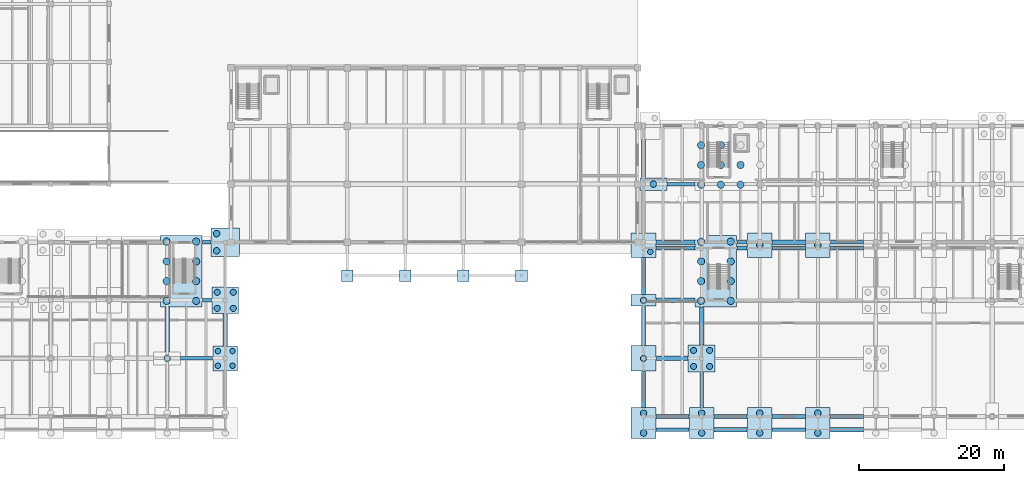
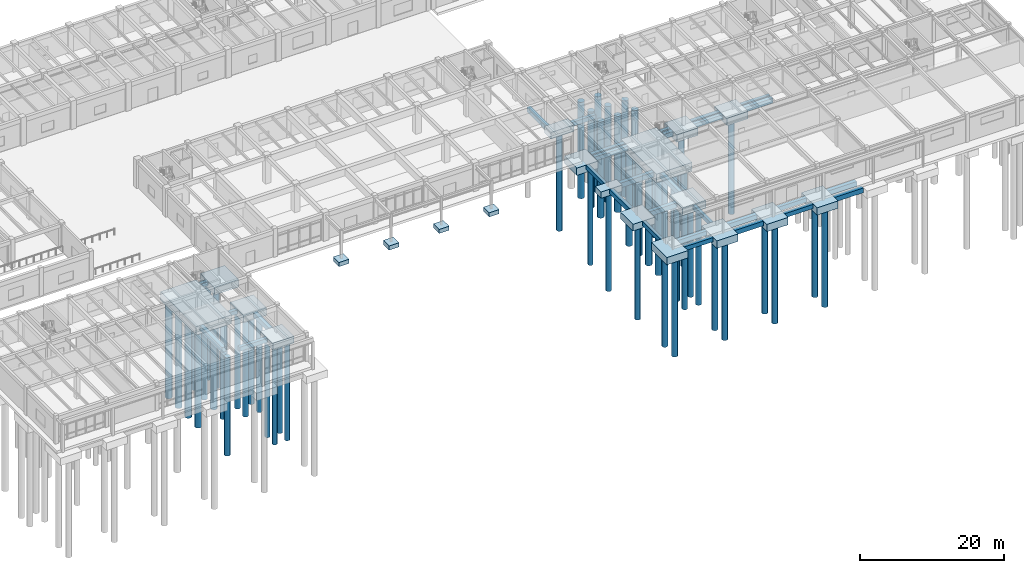
# One storey, part 2 of 64: 53 piles, 50 footings.
"""IFC4 building model written with IfcOpenShell, lengths in metres."""

import ifcopenshell
import ifcopenshell.guid

model = None  # the IFC model being written
_history = None  # IfcOwnerHistory: only IFC2X3 demands one
_inside = {}  # id of a spatial element -> (the spatial element, [elements in it])
_under = {}  # id of a project, library or spatial element -> (it, [spatial elements below it])
_declared = {}  # id of a project -> (the project, [libraries it declares])
_typed = {}  # id of a type object -> (the type object, [elements of that type])
_made_of = {}  # id of a material, layer set ... -> (it, [elements and type objects made of it])


def new_model(schema):
    """Start an empty IFC model of exactly this schema.

    Asked for "IFC4X3", IfcOpenShell would pick the latest addendum, in which some entities
    have other attributes; the version numbers below select the first issue.
    IFC2X3 requires an IfcOwnerHistory on every rooted entity: one is made here for all.
    """
    global model, _history
    if schema == "IFC4X3":
        model = ifcopenshell.file(schema_version=(4, 3, 0, 0))
    else:
        model = ifcopenshell.file(schema=schema)
    _inside.clear()
    _under.clear()
    _declared.clear()
    _typed.clear()
    _made_of.clear()
    _history = None
    if model.schema == "IFC2X3":
        org = make("IfcOrganization", Name="unknown")
        user = make(
            "IfcPersonAndOrganization",
            ThePerson=make("IfcPerson", FamilyName="unknown"),
            TheOrganization=org,
        )
        app = make(
            "IfcApplication",
            ApplicationDeveloper=org,
            Version="unknown",
            ApplicationFullName="unknown",
            ApplicationIdentifier="unknown",
        )
        _history = make(
            "IfcOwnerHistory",
            OwningUser=user,
            OwningApplication=app,
            ChangeAction="ADDED",
            CreationDate=0,
        )
    return model


def make(cls, **values):
    """One entity of the class cls with the attributes given. An attribute that is None is left unset."""
    return model.create_entity(
        cls, **{name: value for name, value in values.items() if value is not None}
    )


def rooted(cls, **values):
    """An entity with a GlobalId (a new one), such as an element, a storey or a relation."""
    return make(cls, GlobalId=ifcopenshell.guid.new(), OwnerHistory=_history, **values)


def si_unit(unit_type, name, prefix=None):
    """IfcSIUnit, for example si_unit("LENGTHUNIT", "METRE", prefix="MILLI")."""
    return make("IfcSIUnit", UnitType=unit_type, Prefix=prefix, Name=name)


def assignment(units):
    """IfcUnitAssignment: the units of a project."""
    return None if units is None else make("IfcUnitAssignment", Units=units)


def point(xyz):
    """IfcCartesianPoint."""
    return None if xyz is None else make("IfcCartesianPoint", Coordinates=xyz)


def direction(xyz):
    """IfcDirection."""
    return None if xyz is None else make("IfcDirection", DirectionRatios=xyz)


def frame(location, z_axis=None, x_axis=None):
    """IfcAxis2Placement3D, a coordinate frame: its origin and axes. An axis left out is left unset."""
    return make(
        "IfcAxis2Placement3D",
        Location=point(location),
        Axis=direction(z_axis),
        RefDirection=direction(x_axis),
    )


def frame_2d(location, x_axis=None):
    """IfcAxis2Placement2D, a coordinate frame in the plane: its origin and x axis."""
    return make(
        "IfcAxis2Placement2D", Location=point(location), RefDirection=direction(x_axis)
    )


def origin():
    """The frame at (0, 0, 0) with its axes left unset."""
    return frame((0.0, 0.0, 0.0))


def origin_2d():
    """The frame at (0, 0) in the plane with its x axis left unset."""
    return frame_2d((0.0, 0.0))


def place(relative_to, where):
    """IfcLocalPlacement: puts the frame where relative to a parent placement (None: the world)."""
    return make(
        "IfcLocalPlacement", PlacementRelTo=relative_to, RelativePlacement=where
    )


def context(
    kind, dimensions, precision=None, world=None, true_north=None, identifier=None
):
    """IfcGeometricRepresentationContext, for example the 3D "Model" context."""
    return make(
        "IfcGeometricRepresentationContext",
        ContextIdentifier=identifier,
        ContextType=kind,
        CoordinateSpaceDimension=dimensions,
        Precision=precision,
        WorldCoordinateSystem=world,
        TrueNorth=true_north,
    )


def subcontext(parent, identifier, kind, view, scale=None):
    """IfcGeometricRepresentationSubContext, for example "Body" below "Model"."""
    return make(
        "IfcGeometricRepresentationSubContext",
        ContextIdentifier=identifier,
        ContextType=kind,
        ParentContext=parent,
        TargetScale=scale,
        TargetView=view,
    )


def project(units=None, contexts=None):
    """IfcProject with its units and contexts."""
    return rooted(
        "IfcProject",
        Name="project",
        RepresentationContexts=contexts,
        UnitsInContext=assignment(units),
    )


def spatial(cls, under=None, at=None, **own):
    """A site, building, storey or space (cls), placed at a placement, below another one or the project."""
    s = rooted(cls, ObjectPlacement=at, **own)
    if under is not None:
        _under.setdefault(under.id(), (under, []))[1].append(s)
    return s


def profile(cls, at=None, kind="AREA", **sizes):
    """A parametric profile (cls). Its sizes go by their IFC names, for example OverallWidth=200.0."""
    return make(cls, ProfileType=kind, Position=at, **sizes)


def rectangle(**sizes):
    """IfcRectangleProfileDef."""
    return profile("IfcRectangleProfileDef", **sizes)


def circle(**sizes):
    """IfcCircleProfileDef."""
    return profile("IfcCircleProfileDef", **sizes)


def extrude(swept, where, along, depth):
    """IfcExtrudedAreaSolid: the profile swept, set in the frame where, extruded along a direction by depth."""
    return make(
        "IfcExtrudedAreaSolid",
        SweptArea=swept,
        Position=where,
        ExtrudedDirection=direction(along),
        Depth=depth,
    )


def shape(context_of_items, identifier, shape_type, items):
    """IfcShapeRepresentation: the items that make up one representation, for example the "Body"."""
    return make(
        "IfcShapeRepresentation",
        ContextOfItems=context_of_items,
        RepresentationIdentifier=identifier,
        RepresentationType=shape_type,
        Items=items,
    )


def material(Name=None, Category=None):
    """IfcMaterial."""
    return make("IfcMaterial", Name=Name, Category=Category)


def layer(
    of_material, thickness, ventilated=None, Name=None, Category=None, Priority=None
):
    """IfcMaterialLayer: one layer of a wall or slab, of a material (None: an air gap)."""
    return make(
        "IfcMaterialLayer",
        Material=of_material,
        LayerThickness=thickness,
        IsVentilated=ventilated,
        Name=Name,
        Category=Category,
        Priority=Priority,
    )


def layer_set(layers, Name=None):
    """IfcMaterialLayerSet."""
    return make("IfcMaterialLayerSet", MaterialLayers=layers, LayerSetName=Name)


def material_profile(
    of_material, cross_section, Name=None, Category=None, Priority=None
):
    """IfcMaterialProfile: a cross section and its material."""
    return make(
        "IfcMaterialProfile",
        Name=Name,
        Material=of_material,
        Profile=cross_section,
        Priority=Priority,
        Category=Category,
    )


def profile_set(profiles, Name=None, composite=None):
    """IfcMaterialProfileSet."""
    return make(
        "IfcMaterialProfileSet",
        Name=Name,
        MaterialProfiles=profiles,
        CompositeProfile=composite,
    )


def made_of(thing, what):
    """Note that an element or type object is made of a material, layer set ...; save() writes the relation."""
    if what is not None:
        _made_of.setdefault(what.id(), (what, []))[1].append(thing)
    return thing


def type_object(cls, material=None, **own):
    """A type object (cls), such as IfcWallType, which elements share."""
    return made_of(rooted(cls, **own), material)


def element(
    cls,
    number,
    at=None,
    inside=None,
    cuts=None,
    type_object=None,
    material=None,
    context=None,
    identifier="Body",
    shape_type=None,
    held_by="IfcProductDefinitionShape",
    body=None,
    shapes=None,
    **own,
):
    """One element of the class cls, such as IfcWall. Its Tag is "e" and its number.

    at: its placement. inside: the storey or other place that contains it. cuts: it is an
    opening in that element (IfcRelVoidsElement). A single representation is given by context,
    identifier, shape_type and body (its items); several are given by shapes. held_by: the class
    of the entity that holds the representations. save() writes the other relations.
    """
    e = rooted(cls, Tag="e%d" % number, ObjectPlacement=at, **own)
    if body is not None:
        shapes = [shape(context, identifier, shape_type, body)]
    if shapes is not None:
        e.Representation = make(held_by, Representations=shapes)
    if inside is not None:
        _inside.setdefault(inside.id(), (inside, []))[1].append(e)
    if cuts is not None:
        rooted(
            "IfcRelVoidsElement", RelatingBuildingElement=cuts, RelatedOpeningElement=e
        )
    if type_object is not None:
        _typed.setdefault(type_object.id(), (type_object, []))[1].append(e)
    return made_of(e, material)


def aggregate(whole, parts):
    """IfcRelAggregates: a whole, such as a stair, and the parts it consists of."""
    return rooted("IfcRelAggregates", RelatingObject=whole, RelatedObjects=parts)


def save(model, path):
    """Write the relations noted so far, then the file.

    IfcRelAggregates (storeys below a building ...), IfcRelContainedInSpatialStructure (elements
    in a storey), IfcRelDefinesByType, IfcRelAssociatesMaterial and IfcRelDeclares: one each for
    every whole, place, type object, material and project.
    """
    for whole, parts in _under.values():
        aggregate(whole, parts)
    for where, things in _inside.values():
        rooted(
            "IfcRelContainedInSpatialStructure",
            RelatedElements=things,
            RelatingStructure=where,
        )
    for kind, things in _typed.values():
        rooted("IfcRelDefinesByType", RelatedObjects=things, RelatingType=kind)
    for what, things in _made_of.values():
        rooted("IfcRelAssociatesMaterial", RelatedObjects=things, RelatingMaterial=what)
    for by, libraries in _declared.values():
        rooted("IfcRelDeclares", RelatingContext=by, RelatedDefinitions=libraries)
    model.write(path)


model = new_model("IFC4")

# Units and contexts
model_context = context("Model", 3, precision=1e-05, world=origin(), true_north=direction((0.0, 1.0)))
body_context = subcontext(model_context, "Body", "Model", "MODEL_VIEW")
ifc_project = project(units=[si_unit("LENGTHUNIT", "METRE"), si_unit("AREAUNIT", "SQUARE_METRE"), si_unit("VOLUMEUNIT", "CUBIC_METRE"), si_unit("PLANEANGLEUNIT", "RADIAN"), si_unit("MASSUNIT", "GRAM", prefix="KILO")], contexts=[model_context])

# Site, building, storey
site_placement = place(None, origin())
site = spatial("IfcSite", under=ifc_project, at=site_placement, CompositionType="ELEMENT")
building_placement = place(site_placement, origin())
building = spatial("IfcBuilding", under=site, at=building_placement, Name="Tlaxcora Railside Police Headquarters", CompositionType="ELEMENT")
storey_placement = place(building_placement, origin())
storey = spatial("IfcBuildingStorey", under=building, at=storey_placement, Name="L00", CompositionType="ELEMENT", Elevation=0.0)

# Piles
ifc_material_1 = material(Name="Concrete C35/45", Category="concrete")
ifc_material_profile_1 = material_profile(ifc_material_1, circle(Radius=0.425048828125, at=origin_2d()), Name="PILE850")
ifc_profile_set_1 = profile_set([ifc_material_profile_1], Name="Concrete C35/45")
pile_type_1 = type_object("IfcPileType", Name="Cast-in-Place Bored Pile PL-12", PredefinedType="BORED", material=ifc_profile_set_1)
for number, where, z_axis, x_axis, name in (
    (1, (44.094970703125, 26.89501953125, -1.52001953125), (0.0, 0.0, -1.0), (1.0, 0.0, 0.0), "Bored pile PILE-127-1"),
    (2, (44.094970703125, 29.10498046875, -1.52001953125), (0.0, 0.0, -1.0), (1.0, 0.0, 0.0), "Bored pile PILE-127-2"),
    (3, (46.304931640625, 26.89501953125, -1.52001953125), (0.0, 0.0, -1.0), (1.0, 0.0, 0.0), "Bored pile PILE-127-3"),
    (4, (46.304931640625, 29.10498046875, -1.52001953125), (0.0, 0.0, -1.0), (1.0, 0.0, 0.0), "Bored pile PILE-127-4"),
):
    element("IfcPile", number, at=place(storey_placement, frame(where, z_axis=z_axis, x_axis=x_axis)), inside=storey, type_object=pile_type_1, Name=name, PredefinedType="BORED", context=body_context, shape_type="SweptSolid", body=[
        extrude(circle(Radius=0.425048828125, at=origin_2d()), origin(), (0.0, 0.0, 1.0), 16.47998046875),
    ])
pile_1_placement = place(storey_placement, frame((102.800048828125, 20.0, -1.419921875), z_axis=(0.0, 0.0, -1.0), x_axis=(1.0, 0.0, 0.0)))
element("IfcPile", 5, at=pile_1_placement, inside=storey, type_object=pile_type_1, Name="Bored pile PILE-130-1", PredefinedType="BORED", context=body_context, shape_type="SweptSolid", body=[
    extrude(circle(Radius=0.425048828125, at=origin_2d()), origin(), (0.0, 0.0, 1.0), 16.580078125),
])
pile_2_placement = place(storey_placement, frame((102.800048828125, 28.0, -1.320068359375), z_axis=(0.0, 0.0, -1.0), x_axis=(1.0, 0.0, 0.0)))
element("IfcPile", 6, at=pile_2_placement, inside=storey, type_object=pile_type_1, Name="Bored pile PILE-131-1", PredefinedType="BORED", context=body_context, shape_type="SweptSolid", body=[
    extrude(circle(Radius=0.425048828125, at=origin_2d()), origin(), (0.0, 0.0, 1.0), 16.679931640625),
])
for number, where, z_axis, x_axis, name in (
    (7, (109.695068359375, 18.89501953125, -1.52001953125), (0.0, 0.0, -1.0), (1.0, 0.0, 0.0), "Bored pile PILE-136-1"),
    (8, (109.695068359375, 21.10498046875, -1.52001953125), (0.0, 0.0, -1.0), (1.0, 0.0, 0.0), "Bored pile PILE-136-2"),
    (9, (111.905029296875, 18.89501953125, -1.52001953125), (0.0, 0.0, -1.0), (1.0, 0.0, 0.0), "Bored pile PILE-136-3"),
    (10, (111.905029296875, 21.10498046875, -1.52001953125), (0.0, 0.0, -1.0), (1.0, 0.0, 0.0), "Bored pile PILE-136-4"),
):
    element("IfcPile", number, at=place(storey_placement, frame(where, z_axis=z_axis, x_axis=x_axis)), inside=storey, type_object=pile_type_1, Name=name, PredefinedType="BORED", context=body_context, shape_type="SweptSolid", body=[
        extrude(circle(Radius=0.425048828125, at=origin_2d()), origin(), (0.0, 0.0, 1.0), 16.47998046875),
    ])
ifc_material_profile_2 = material_profile(ifc_material_1, circle(Radius=0.449951171875, at=origin_2d()), Name="PILE900")
ifc_profile_set_2 = profile_set([ifc_material_profile_2], Name="Concrete C35/45")
pile_type_2 = type_object("IfcPileType", Name="Cast-in-Place Bored Pile PL-52", PredefinedType="BORED", material=ifc_profile_set_2)
pile_3_placement = place(storey_placement, frame((37.199951171875, 20.0, -1.3701171875), z_axis=(0.0, 0.0, -1.0), x_axis=(1.0, 0.0, 0.0)))
element("IfcPile", 11, at=pile_3_placement, inside=storey, type_object=pile_type_2, Name="Bored pile PILE-124-1", PredefinedType="BORED", context=body_context, shape_type="SweptSolid", body=[
    extrude(circle(Radius=0.449951171875, at=origin_2d()), origin(), (0.0, 0.0, 1.0), 16.6298828125),
])
for number, where, z_axis, x_axis, name in (
    (12, (44.02001953125, 34.820068359375, -1.570068359375), (0.0, 0.0, -1.0), (1.0, 0.0, 0.0), "Bored pile PILE-128-1"),
    (13, (44.02001953125, 37.179931640625, -1.570068359375), (0.0, 0.0, -1.0), (1.0, 0.0, 0.0), "Bored pile PILE-128-2"),
):
    element("IfcPile", number, at=place(storey_placement, frame(where, z_axis=z_axis, x_axis=x_axis)), inside=storey, type_object=pile_type_2, Name=name, PredefinedType="BORED", context=body_context, shape_type="SweptSolid", body=[
        extrude(circle(Radius=0.449951171875, at=origin_2d()), origin(), (0.0, 0.0, 1.0), 16.429931640625),
    ])
for number, where, z_axis, x_axis, name in (
    (14, (102.800048828125, 9.72998046875, -1.52001953125), (0.0, 0.0, -1.0), (1.0, 0.0, 0.0), "Bored pile PILE-129-1"),
    (15, (102.800048828125, 12.469970703125, -1.52001953125), (0.0, 0.0, -1.0), (1.0, 0.0, 0.0), "Bored pile PILE-129-2"),
):
    element("IfcPile", number, at=place(storey_placement, frame(where, z_axis=z_axis, x_axis=x_axis)), inside=storey, type_object=pile_type_2, Name=name, PredefinedType="BORED", context=body_context, shape_type="SweptSolid", body=[
        extrude(circle(Radius=0.449951171875, at=origin_2d()), origin(), (0.0, 0.0, 1.0), 16.47998046875),
    ])
pile_4_placement = place(storey_placement, frame((104.14990234375, 44.0, -1.3701171875), z_axis=(0.0, 0.0, -1.0), x_axis=(1.0, 0.0, 0.0)))
element("IfcPile", 16, at=pile_4_placement, inside=storey, type_object=pile_type_2, Name="Bored pile PILE-133-1", PredefinedType="BORED", context=body_context, shape_type="SweptSolid", body=[
    extrude(circle(Radius=0.449951171875, at=origin_2d()), origin(), (0.0, 0.0, 1.0), 16.6298828125),
])
for number, where, z_axis, x_axis, name in (
    (17, (110.800048828125, 9.72998046875, -1.52001953125), (0.0, 0.0, -1.0), (1.0, 0.0, 0.0), "Bored pile PILE-135-1"),
    (18, (110.800048828125, 12.469970703125, -1.52001953125), (0.0, 0.0, -1.0), (1.0, 0.0, 0.0), "Bored pile PILE-135-2"),
    (19, (118.800048828125, 9.72998046875, -1.52001953125), (0.0, 0.0, -1.0), (1.0, 0.0, 0.0), "Bored pile PILE-137-1"),
    (20, (118.800048828125, 12.469970703125, -1.52001953125), (0.0, 0.0, -1.0), (1.0, 0.0, 0.0), "Bored pile PILE-137-2"),
    (21, (118.800048828125, 35.60009765625, -1.52001953125), (0.0, 0.0, -1.0), (1.0, 0.0, 0.0), "Bored pile PILE-138-1"),
    (22, (126.800048828125, 9.72998046875, -1.52001953125), (0.0, 0.0, -1.0), (1.0, 0.0, 0.0), "Bored pile PILE-139-1"),
    (23, (126.800048828125, 12.469970703125, -1.52001953125), (0.0, 0.0, -1.0), (1.0, 0.0, 0.0), "Bored pile PILE-139-2"),
    (24, (126.800048828125, 35.60009765625, -1.52001953125), (0.0, 0.0, -1.0), (1.0, 0.0, 0.0), "Bored pile PILE-140-1"),
):
    element("IfcPile", number, at=place(storey_placement, frame(where, z_axis=z_axis, x_axis=x_axis)), inside=storey, type_object=pile_type_2, Name=name, PredefinedType="BORED", context=body_context, shape_type="SweptSolid", body=[
        extrude(circle(Radius=0.449951171875, at=origin_2d()), origin(), (0.0, 0.0, 1.0), 16.47998046875),
    ])
ifc_material_profile_3 = material_profile(ifc_material_1, circle(Radius=0.375, at=origin_2d()), Name="PILE750")
ifc_profile_set_3 = profile_set([ifc_material_profile_3], Name="Concrete C35/45")
pile_type_3 = type_object("IfcPileType", Name="Cast-in-Place Bored Pile PL-58", PredefinedType="BORED", material=ifc_profile_set_3)
for number, where, z_axis, x_axis, name in (
    (25, (44.195068359375, 18.9951171875, -1.419921875), (0.0, 0.0, -1.0), (1.0, 0.0, 0.0), "Bored pile PILE-126-1"),
    (26, (44.195068359375, 21.0048828125, -1.419921875), (0.0, 0.0, -1.0), (1.0, 0.0, 0.0), "Bored pile PILE-126-2"),
    (27, (46.205078125, 18.9951171875, -1.419921875), (0.0, 0.0, -1.0), (1.0, 0.0, 0.0), "Bored pile PILE-126-3"),
    (28, (46.205078125, 21.0048828125, -1.419921875), (0.0, 0.0, -1.0), (1.0, 0.0, 0.0), "Bored pile PILE-126-4"),
):
    element("IfcPile", number, at=place(storey_placement, frame(where, z_axis=z_axis, x_axis=x_axis)), inside=storey, type_object=pile_type_3, Name=name, PredefinedType="BORED", context=body_context, shape_type="SweptSolid", body=[
        extrude(circle(Radius=0.375, at=origin_2d()), origin(), (0.0, 0.0, 1.0), 16.580078125),
    ])
pile_5_placement = place(storey_placement, frame((103.72998046875, 34.669921875, -1.52001953125), z_axis=(0.0, 0.0, -1.0), x_axis=(1.0, 0.0, 0.0)))
element("IfcPile", 29, at=pile_5_placement, inside=storey, type_object=pile_type_3, Name="Bored pile PILE-132-1", PredefinedType="BORED", context=body_context, shape_type="SweptSolid", body=[
    extrude(circle(Radius=0.375, at=origin_2d()), origin(), (0.0, 0.0, 1.0), 16.47998046875),
])
ifc_material_profile_4 = material_profile(ifc_material_1, circle(Radius=0.5, at=origin_2d()), Name="PILE1000")
ifc_profile_set_4 = profile_set([ifc_material_profile_4], Name="Concrete C35/45")
pile_type_4 = type_object("IfcPileType", Name="Cast-in-Place Bored Pile PL-74", PredefinedType="BORED", material=ifc_profile_set_4)
for number, where, z_axis, x_axis, name in (
    (30, (37.1201171875, 27.919921875, -1.719970703125), (0.0, 0.0, -1.0), (1.0, 0.0, 0.0), "Bored pile PILE-104-1"),
    (31, (37.1201171875, 30.639892578125, -1.719970703125), (0.0, 0.0, -1.0), (1.0, 0.0, 0.0), "Bored pile PILE-104-2"),
    (32, (37.1201171875, 33.360107421875, -1.719970703125), (0.0, 0.0, -1.0), (1.0, 0.0, 0.0), "Bored pile PILE-104-3"),
    (33, (37.1201171875, 36.080078125, -1.719970703125), (0.0, 0.0, -1.0), (1.0, 0.0, 0.0), "Bored pile PILE-104-4"),
    (34, (41.199951171875, 27.919921875, -1.719970703125), (0.0, 0.0, -1.0), (1.0, 0.0, 0.0), "Bored pile PILE-104-5"),
    (35, (41.199951171875, 30.639892578125, -1.719970703125), (0.0, 0.0, -1.0), (1.0, 0.0, 0.0), "Bored pile PILE-104-6"),
    (36, (41.199951171875, 33.360107421875, -1.719970703125), (0.0, 0.0, -1.0), (1.0, 0.0, 0.0), "Bored pile PILE-104-7"),
    (37, (41.199951171875, 36.080078125, -1.719970703125), (0.0, 0.0, -1.0), (1.0, 0.0, 0.0), "Bored pile PILE-104-8"),
    (38, (110.719970703125, 43.919921875, -1.719970703125), (0.0, 0.0, -1.0), (1.0, 0.0, 0.0), "Bored pile PILE-105-1"),
    (39, (110.719970703125, 46.639892578125, -1.719970703125), (0.0, 0.0, -1.0), (1.0, 0.0, 0.0), "Bored pile PILE-105-2"),
    (40, (110.719970703125, 49.360107421875, -1.719970703125), (0.0, 0.0, -1.0), (1.0, 0.0, 0.0), "Bored pile PILE-105-3"),
    (41, (113.43994140625, 43.919921875, -1.719970703125), (0.0, 0.0, -1.0), (1.0, 0.0, 0.0), "Bored pile PILE-105-5"),
    (42, (113.43994140625, 46.639892578125, -1.719970703125), (0.0, 0.0, -1.0), (1.0, 0.0, 0.0), "Bored pile PILE-105-6"),
    (43, (113.43994140625, 49.360107421875, -1.719970703125), (0.0, 0.0, -1.0), (1.0, 0.0, 0.0), "Bored pile PILE-105-7"),
    (44, (116.159912109375, 43.919921875, -1.719970703125), (0.0, 0.0, -1.0), (1.0, 0.0, 0.0), "Bored pile PILE-105-9"),
    (45, (116.159912109375, 46.639892578125, -1.719970703125), (0.0, 0.0, -1.0), (1.0, 0.0, 0.0), "Bored pile PILE-105-10"),
    (46, (110.719970703125, 27.919921875, -1.719970703125), (0.0, 0.0, -1.0), (1.0, 0.0, 0.0), "Bored pile PILE-107-1"),
    (47, (110.719970703125, 30.639892578125, -1.719970703125), (0.0, 0.0, -1.0), (1.0, 0.0, 0.0), "Bored pile PILE-107-2"),
    (48, (110.719970703125, 33.360107421875, -1.719970703125), (0.0, 0.0, -1.0), (1.0, 0.0, 0.0), "Bored pile PILE-107-3"),
    (49, (110.719970703125, 36.080078125, -1.719970703125), (0.0, 0.0, -1.0), (1.0, 0.0, 0.0), "Bored pile PILE-107-4"),
    (50, (114.800048828125, 27.919921875, -1.719970703125), (0.0, 0.0, -1.0), (1.0, 0.0, 0.0), "Bored pile PILE-107-5"),
    (51, (114.800048828125, 30.639892578125, -1.719970703125), (0.0, 0.0, -1.0), (1.0, 0.0, 0.0), "Bored pile PILE-107-6"),
    (52, (114.800048828125, 33.360107421875, -1.719970703125), (0.0, 0.0, -1.0), (1.0, 0.0, 0.0), "Bored pile PILE-107-7"),
    (53, (114.800048828125, 36.080078125, -1.719970703125), (0.0, 0.0, -1.0), (1.0, 0.0, 0.0), "Bored pile PILE-107-8"),
):
    element("IfcPile", number, at=place(storey_placement, frame(where, z_axis=z_axis, x_axis=x_axis)), inside=storey, type_object=pile_type_4, Name=name, PredefinedType="BORED", context=body_context, shape_type="SweptSolid", body=[
        extrude(circle(Radius=0.5, at=origin_2d()), origin(), (0.0, 0.0, 1.0), 16.280029296875),
    ])

# Footings
ifc_material_2 = material(Name="Concrete C40/50", Category="concrete")
ifc_layer_1 = layer(ifc_material_2, 0.699951171875, Name="Concrete C40/50")
ifc_layer_set_1 = layer_set([ifc_layer_1], Name="Concrete C40/50")
footing_type_1 = type_object("IfcFootingType", Name="Reinforced Concrete Pad Footing FT-32", PredefinedType="PAD_FOOTING", material=ifc_layer_set_1)
for number, where, z_axis, x_axis, name in (
    (54, (62.0, 31.39990234375, -1.1201171875), (0.0, 0.0, 1.0), (1.0, 0.0, 0.0), "Canopy pad footing X=62.0"),
    (55, (70.0, 31.39990234375, -1.1201171875), (0.0, 0.0, 1.0), (1.0, 0.0, 0.0), "Canopy pad footing X=70.0"),
    (56, (78.0, 31.39990234375, -1.1201171875), (0.0, 0.0, 1.0), (1.0, 0.0, 0.0), "Canopy pad footing X=78.0"),
    (57, (86.0, 31.39990234375, -1.1201171875), (0.0, 0.0, 1.0), (1.0, 0.0, 0.0), "Canopy pad footing X=86.0"),
):
    element("IfcFooting", number, at=place(storey_placement, frame(where, z_axis=z_axis, x_axis=x_axis)), inside=storey, type_object=footing_type_1, Name=name, PredefinedType="PAD_FOOTING", context=body_context, shape_type="SweptSolid", body=[
        extrude(rectangle(XDim=1.60009765625, YDim=1.60009765625, at=origin_2d()), origin(), (0.0, 0.0, 1.0), 0.699951171875),
    ])
ifc_layer_2 = layer(ifc_material_2, 1.35009765625, Name="Concrete C40/50")
ifc_layer_set_2 = layer_set([ifc_layer_2], Name="Concrete C40/50")
footing_type_2 = type_object("IfcFootingType", Name="Reinforced Concrete Pile Cap FT-227", PredefinedType="PILE_CAP", material=ifc_layer_set_2)
for number, where, z_axis, x_axis, name in (
    (58, (102.800048828125, 35.60009765625, -1.669921875), (0.0, 0.0, 1.0), (1.0, 0.0, 0.0), "Pile cap CAP-L00-132"),
    (59, (118.800048828125, 35.60009765625, -1.669921875), (0.0, 0.0, 1.0), (1.0, 0.0, 0.0), "Pile cap CAP-L00-138"),
    (60, (126.800048828125, 35.60009765625, -1.669921875), (0.0, 0.0, 1.0), (1.0, 0.0, 0.0), "Pile cap CAP-L00-140"),
):
    element("IfcFooting", number, at=place(storey_placement, frame(where, z_axis=z_axis, x_axis=x_axis)), inside=storey, type_object=footing_type_2, Name=name, PredefinedType="PILE_CAP", context=body_context, shape_type="SweptSolid", body=[
        extrude(rectangle(XDim=3.39990234375, YDim=3.39990234375, at=origin_2d()), origin(), (0.0, 0.0, 1.0), 1.25),
    ])
ifc_layer_3 = layer(ifc_material_2, 1.449951171875, Name="Concrete C40/50")
ifc_layer_set_3 = layer_set([ifc_layer_3], Name="Concrete C40/50")
footing_type_3 = type_object("IfcFootingType", Name="Reinforced Concrete Pile Cap FT-242", PredefinedType="PILE_CAP", material=ifc_layer_set_3)
for number, where, z_axis, x_axis, name in (
    (61, (39.159912109375, 32.0, -1.8701171875), (0.0, 0.0, 1.0), (1.0, 0.0, 0.0), "Pile cap CAP-L00-104"),
    (62, (112.760009765625, 32.0, -1.8701171875), (0.0, 0.0, 1.0), (1.0, 0.0, 0.0), "Pile cap CAP-L00-107"),
):
    element("IfcFooting", number, at=place(storey_placement, frame(where, z_axis=z_axis, x_axis=x_axis)), inside=storey, type_object=footing_type_3, Name=name, PredefinedType="PILE_CAP", context=body_context, shape_type="SweptSolid", body=[
        extrude(rectangle(XDim=5.719970703125, YDim=9.800048828125, at=origin_2d()), origin(), (0.0, 0.0, 1.0), 1.449951171875),
    ])
ifc_layer_4 = layer(ifc_material_2, 1.25, Name="Concrete C40/50")
ifc_layer_set_4 = layer_set([ifc_layer_4], Name="Concrete C40/50")
footing_type_4 = type_object("IfcFootingType", Name="Reinforced Concrete Pile Cap FT-246", PredefinedType="PILE_CAP", material=ifc_layer_set_4)
for number, where, z_axis, x_axis, name in (
    (63, (102.800048828125, 11.10009765625, -1.669921875), (0.0, 0.0, 1.0), (1.0, 0.0, 0.0), "Pile cap CAP-L00-129"),
    (64, (110.800048828125, 11.10009765625, -1.669921875), (0.0, 0.0, 1.0), (1.0, 0.0, 0.0), "Pile cap CAP-L00-135"),
    (65, (118.800048828125, 11.10009765625, -1.669921875), (0.0, 0.0, 1.0), (1.0, 0.0, 0.0), "Pile cap CAP-L00-137"),
    (66, (126.800048828125, 11.10009765625, -1.669921875), (0.0, 0.0, 1.0), (1.0, 0.0, 0.0), "Pile cap CAP-L00-139"),
):
    element("IfcFooting", number, at=place(storey_placement, frame(where, z_axis=z_axis, x_axis=x_axis)), inside=storey, type_object=footing_type_4, Name=name, PredefinedType="PILE_CAP", context=body_context, shape_type="SweptSolid", body=[
        extrude(rectangle(XDim=3.39990234375, YDim=4.280029296875, at=origin_2d()), origin(), (0.0, 0.0, 1.0), 1.25),
    ])
ifc_layer_5 = layer(ifc_material_2, 1.050048828125, Name="Concrete C40/50")
ifc_layer_set_5 = layer_set([ifc_layer_5], Name="Concrete C40/50")
footing_type_5 = type_object("IfcFootingType", Name="Reinforced Concrete Pile Cap FT-28", PredefinedType="PILE_CAP", material=ifc_layer_set_5)
footing_1_placement = place(storey_placement, frame((102.800048828125, 28.0, -1.47021484375), z_axis=(0.0, 0.0, 1.0), x_axis=(1.0, 0.0, 0.0)))
element("IfcFooting", 67, at=footing_1_placement, inside=storey, type_object=footing_type_5, Name="Pile cap CAP-L00-131", PredefinedType="PILE_CAP", context=body_context, shape_type="SweptSolid", body=[
    extrude(rectangle(XDim=3.39990234375, YDim=1.60009765625, at=origin_2d()), origin(), (0.0, 0.0, 1.0), 1.050048828125),
])
ifc_layer_6 = layer(ifc_material_2, 1.14990234375, Name="Concrete C40/50")
ifc_layer_set_6 = layer_set([ifc_layer_6], Name="Concrete C40/50")
footing_type_6 = type_object("IfcFootingType", Name="Reinforced Concrete Pile Cap FT-44", PredefinedType="PILE_CAP", material=ifc_layer_set_6)
footing_2_placement = place(storey_placement, frame((45.199951171875, 20.0, -1.570068359375), z_axis=(0.0, 0.0, 1.0), x_axis=(1.0, 0.0, 0.0)))
element("IfcFooting", 68, at=footing_2_placement, inside=storey, type_object=footing_type_6, Name="Pile cap CAP-L00-126", PredefinedType="PILE_CAP", context=body_context, shape_type="SweptSolid", body=[
    extrude(rectangle(XDim=3.39990234375, YDim=3.39990234375, at=origin_2d()), origin(), (0.0, 0.0, 1.0), 1.14990234375),
])
ifc_layer_7 = layer(ifc_material_2, 1.14990234375, Name="Concrete C40/50")
ifc_layer_set_7 = layer_set([ifc_layer_7], Name="Concrete C40/50")
footing_type_7 = type_object("IfcFootingType", Name="Reinforced Concrete Pile Cap FT-46", PredefinedType="PILE_CAP", material=ifc_layer_set_7)
footing_3_placement = place(storey_placement, frame((102.800048828125, 20.0, -1.570068359375), z_axis=(0.0, 0.0, 1.0), x_axis=(1.0, 0.0, 0.0)))
element("IfcFooting", 69, at=footing_3_placement, inside=storey, type_object=footing_type_7, Name="Pile cap CAP-L00-130", PredefinedType="PILE_CAP", context=body_context, shape_type="SweptSolid", body=[
    extrude(rectangle(XDim=3.5, YDim=3.5, at=origin_2d()), origin(), (0.0, 0.0, 1.0), 1.14990234375),
])
ifc_layer_8 = layer(ifc_material_2, 1.300048828125, Name="Concrete C40/50")
ifc_layer_set_8 = layer_set([ifc_layer_8], Name="Concrete C40/50")
footing_type_8 = type_object("IfcFootingType", Name="Reinforced Concrete Pile Cap FT-75", PredefinedType="PILE_CAP", material=ifc_layer_set_8)
footing_4_placement = place(storey_placement, frame((45.199951171875, 36.0, -1.72021484375), z_axis=(0.0, 0.0, 1.0), x_axis=(1.0, 0.0, 0.0)))
element("IfcFooting", 70, at=footing_4_placement, inside=storey, type_object=footing_type_8, Name="Pile cap CAP-L00-128", PredefinedType="PILE_CAP", context=body_context, shape_type="SweptSolid", body=[
    extrude(rectangle(XDim=3.89990234375, YDim=3.89990234375, at=origin_2d()), origin(), (0.0, 0.0, 1.0), 1.300048828125),
])
ifc_layer_9 = layer(ifc_material_2, 1.10009765625, Name="Concrete C40/50")
ifc_layer_set_9 = layer_set([ifc_layer_9], Name="Concrete C40/50")
footing_type_9 = type_object("IfcFootingType", Name="Reinforced Concrete Pile Cap FT-77", PredefinedType="PILE_CAP", material=ifc_layer_set_9)
footing_5_placement = place(storey_placement, frame((104.14990234375, 44.0, -1.52001953125), z_axis=(0.0, 0.0, 1.0), x_axis=(1.0, 0.0, 0.0)))
element("IfcFooting", 71, at=footing_5_placement, inside=storey, type_object=footing_type_9, Name="Pile cap CAP-L00-133", PredefinedType="PILE_CAP", context=body_context, shape_type="SweptSolid", body=[
    extrude(rectangle(XDim=3.699951171875, YDim=1.75, at=origin_2d()), origin(), (0.0, 0.0, 1.0), 1.10009765625),
])
ifc_layer_10 = layer(ifc_material_2, 1.25, Name="Concrete C40/50")
ifc_layer_set_10 = layer_set([ifc_layer_10], Name="Concrete C40/50")
footing_type_10 = type_object("IfcFootingType", Name="Reinforced Concrete Pile Cap FT-78", PredefinedType="PILE_CAP", material=ifc_layer_set_10)
for number, where, z_axis, x_axis, name in (
    (72, (45.199951171875, 28.0, -1.669921875), (0.0, 0.0, 1.0), (1.0, 0.0, 0.0), "Pile cap CAP-L00-127"),
    (73, (110.800048828125, 20.0, -1.669921875), (0.0, 0.0, 1.0), (1.0, 0.0, 0.0), "Pile cap CAP-L00-136"),
):
    element("IfcFooting", number, at=place(storey_placement, frame(where, z_axis=z_axis, x_axis=x_axis)), inside=storey, type_object=footing_type_10, Name=name, PredefinedType="PILE_CAP", context=body_context, shape_type="SweptSolid", body=[
        extrude(rectangle(XDim=3.699951171875, YDim=3.699951171875, at=origin_2d()), origin(), (0.0, 0.0, 1.0), 1.25),
    ])
ifc_layer_11 = layer(ifc_material_1, 0.699951171875, Name="Concrete C35/45")
ifc_layer_set_11 = layer_set([ifc_layer_11], Name="Concrete C35/45")
footing_type_11 = type_object("IfcFootingType", Name="Reinforced Concrete Tie Beam FT-39", PredefinedType="FOOTING_BEAM", material=ifc_layer_set_11)
for number, where, z_axis, x_axis, name in (
    (74, (106.800048828125, 10.199951171875, -1.1201171875), (0.0, 0.0, 1.0), (1.0, 0.0, 0.0), "Seismic tie beam TB-X-175"),
    (75, (122.800048828125, 10.199951171875, -1.1201171875), (0.0, 0.0, 1.0), (1.0, 0.0, 0.0), "Seismic tie beam TB-X-177"),
    (76, (106.800048828125, 12.0, -1.1201171875), (0.0, 0.0, 1.0), (1.0, 0.0, 0.0), "Seismic tie beam TB-X-185"),
    (77, (122.800048828125, 12.0, -1.1201171875), (0.0, 0.0, 1.0), (1.0, 0.0, 0.0), "Seismic tie beam TB-X-187"),
):
    element("IfcFooting", number, at=place(storey_placement, frame(where, z_axis=z_axis, x_axis=x_axis)), inside=storey, type_object=footing_type_11, Name=name, PredefinedType="FOOTING_BEAM", context=body_context, shape_type="SweptSolid", body=[
        extrude(rectangle(XDim=4.56005859375, YDim=0.5, at=origin_2d()), origin(), (0.0, 0.0, 1.0), 0.699951171875),
    ])
footing_6_placement = place(storey_placement, frame((41.27490234375, 20.0, -1.1201171875), z_axis=(0.0, 0.0, 1.0), x_axis=(1.0, 0.0, 0.0)))
element("IfcFooting", 78, at=footing_6_placement, inside=storey, type_object=footing_type_11, Name="Seismic tie beam TB-X-197", PredefinedType="FOOTING_BEAM", context=body_context, shape_type="SweptSolid", body=[
    extrude(rectangle(XDim=4.409912109375, YDim=0.5, at=origin_2d()), origin(), (0.0, 0.0, 1.0), 0.699951171875),
])
footing_7_placement = place(storey_placement, frame((42.68505859375, 28.0, -1.1201171875), z_axis=(0.0, 0.0, 1.0), x_axis=(1.0, 0.0, 0.0)))
element("IfcFooting", 79, at=footing_7_placement, inside=storey, type_object=footing_type_11, Name="Seismic tie beam TB-X-203", PredefinedType="FOOTING_BEAM", context=body_context, shape_type="SweptSolid", body=[
    extrude(rectangle(XDim=1.2900390625, YDim=0.5, at=origin_2d()), origin(), (0.0, 0.0, 1.0), 0.699951171875),
])
footing_8_placement = place(storey_placement, frame((107.199951171875, 35.199951171875, -1.1201171875), z_axis=(0.0, 0.0, 1.0), x_axis=(1.0, 0.0, 0.0)))
element("IfcFooting", 80, at=footing_8_placement, inside=storey, type_object=footing_type_11, Name="Seismic tie beam TB-X-209", PredefinedType="FOOTING_BEAM", context=body_context, shape_type="SweptSolid", body=[
    extrude(rectangle(XDim=5.360107421875, YDim=0.5, at=origin_2d()), origin(), (0.0, 0.0, 1.0), 0.699951171875),
])
footing_9_placement = place(storey_placement, frame((122.800048828125, 35.199951171875, -1.1201171875), z_axis=(0.0, 0.0, 1.0), x_axis=(1.0, 0.0, 0.0)))
element("IfcFooting", 81, at=footing_9_placement, inside=storey, type_object=footing_type_11, Name="Seismic tie beam TB-X-211", PredefinedType="FOOTING_BEAM", context=body_context, shape_type="SweptSolid", body=[
    extrude(rectangle(XDim=4.56005859375, YDim=0.5, at=origin_2d()), origin(), (0.0, 0.0, 1.0), 0.699951171875),
])
footing_10_placement = place(storey_placement, frame((42.635009765625, 36.0, -1.1201171875), z_axis=(0.0, 0.0, 1.0), x_axis=(1.0, 0.0, 0.0)))
element("IfcFooting", 82, at=footing_10_placement, inside=storey, type_object=footing_type_11, Name="Seismic tie beam TB-X-221", PredefinedType="FOOTING_BEAM", context=body_context, shape_type="SweptSolid", body=[
    extrude(rectangle(XDim=1.18994140625, YDim=0.5, at=origin_2d()), origin(), (0.0, 0.0, 1.0), 0.699951171875),
])
footing_11_placement = place(storey_placement, frame((116.360107421875, 36.0, -1.1201171875), z_axis=(0.0, 0.0, 1.0), x_axis=(1.0, 0.0, 0.0)))
element("IfcFooting", 83, at=footing_11_placement, inside=storey, type_object=footing_type_11, Name="Seismic tie beam TB-X-223", PredefinedType="FOOTING_BEAM", context=body_context, shape_type="SweptSolid", body=[
    extrude(rectangle(XDim=1.43994140625, YDim=0.5, at=origin_2d()), origin(), (0.0, 0.0, 1.0), 0.699951171875),
])
footing_12_placement = place(storey_placement, frame((130.800048828125, 36.0, -1.1201171875), z_axis=(0.0, 0.0, 1.0), x_axis=(1.0, 0.0, 0.0)))
element("IfcFooting", 84, at=footing_12_placement, inside=storey, type_object=footing_type_11, Name="Seismic tie beam TB-X-225", PredefinedType="FOOTING_BEAM", context=body_context, shape_type="SweptSolid", body=[
    extrude(rectangle(XDim=4.56005859375, YDim=0.5, at=origin_2d()), origin(), (0.0, 0.0, 1.0), 0.699951171875),
])
footing_13_placement = place(storey_placement, frame((107.949951171875, 44.0, -1.1201171875), z_axis=(0.0, 0.0, 1.0), x_axis=(1.0, 0.0, 0.0)))
element("IfcFooting", 85, at=footing_13_placement, inside=storey, type_object=footing_type_11, Name="Seismic tie beam TB-X-229", PredefinedType="FOOTING_BEAM", context=body_context, shape_type="SweptSolid", body=[
    extrude(rectangle(XDim=3.860107421875, YDim=0.5, at=origin_2d()), origin(), (0.0, 0.0, 1.0), 0.699951171875),
])
footing_14_placement = place(storey_placement, frame((102.800048828125, 15.7451171875, -1.1201171875), z_axis=(0.0, 0.0, 1.0), x_axis=(0.0, 1.0, 0.0)))
element("IfcFooting", 86, at=footing_14_placement, inside=storey, type_object=footing_type_11, Name="Seismic tie beam TB-Y-253", PredefinedType="FOOTING_BEAM", context=body_context, shape_type="SweptSolid", body=[
    extrude(rectangle(XDim=4.969970703125, YDim=0.5, at=origin_2d()), origin(), (0.0, 0.0, 1.0), 0.699951171875),
])
footing_15_placement = place(storey_placement, frame((102.800048828125, 31.35009765625, -1.1201171875), z_axis=(0.0, 0.0, 1.0), x_axis=(0.0, 1.0, 0.0)))
element("IfcFooting", 87, at=footing_15_placement, inside=storey, type_object=footing_type_11, Name="Seismic tie beam TB-Y-255", PredefinedType="FOOTING_BEAM", context=body_context, shape_type="SweptSolid", body=[
    extrude(rectangle(XDim=5.06005859375, YDim=0.5, at=origin_2d()), origin(), (0.0, 0.0, 1.0), 0.699951171875),
])
footing_16_placement = place(storey_placement, frame((110.800048828125, 15.695068359375, -1.1201171875), z_axis=(0.0, 0.0, 1.0), x_axis=(0.0, 1.0, 0.0)))
element("IfcFooting", 88, at=footing_16_placement, inside=storey, type_object=footing_type_11, Name="Seismic tie beam TB-Y-257", PredefinedType="FOOTING_BEAM", context=body_context, shape_type="SweptSolid", body=[
    extrude(rectangle(XDim=4.8701171875, YDim=0.5, at=origin_2d()), origin(), (0.0, 0.0, 1.0), 0.699951171875),
])
ifc_layer_12 = layer(ifc_material_1, 0.800048828125, Name="Concrete C35/45")
ifc_layer_set_12 = layer_set([ifc_layer_12], Name="Concrete C35/45")
footing_type_12 = type_object("IfcFootingType", Name="Reinforced Concrete Tie Beam FT-96", PredefinedType="FOOTING_BEAM", material=ifc_layer_set_12)
for number, where, z_axis, x_axis, name in (
    (89, (114.800048828125, 10.199951171875, -1.22021484375), (0.0, 0.0, 1.0), (1.0, 0.0, 0.0), "Seismic tie beam TB-X-176"),
    (90, (130.800048828125, 10.199951171875, -1.22021484375), (0.0, 0.0, 1.0), (1.0, 0.0, 0.0), "Seismic tie beam TB-X-178"),
    (91, (114.800048828125, 12.0, -1.22021484375), (0.0, 0.0, 1.0), (1.0, 0.0, 0.0), "Seismic tie beam TB-X-186"),
    (92, (130.800048828125, 12.0, -1.22021484375), (0.0, 0.0, 1.0), (1.0, 0.0, 0.0), "Seismic tie beam TB-X-188"),
):
    element("IfcFooting", number, at=place(storey_placement, frame(where, z_axis=z_axis, x_axis=x_axis)), inside=storey, type_object=footing_type_12, Name=name, PredefinedType="FOOTING_BEAM", context=body_context, shape_type="SweptSolid", body=[
        extrude(rectangle(XDim=4.56005859375, YDim=0.60009765625, at=origin_2d()), origin(), (0.0, 0.0, 1.0), 0.800048828125),
    ])
footing_17_placement = place(storey_placement, frame((106.75, 20.0, -1.22021484375), z_axis=(0.0, 0.0, 1.0), x_axis=(1.0, 0.0, 0.0)))
element("IfcFooting", 93, at=footing_17_placement, inside=storey, type_object=footing_type_12, Name="Seismic tie beam TB-X-198", PredefinedType="FOOTING_BEAM", context=body_context, shape_type="SweptSolid", body=[
    extrude(rectangle(XDim=4.360107421875, YDim=0.60009765625, at=origin_2d()), origin(), (0.0, 0.0, 1.0), 0.800048828125),
])
footing_18_placement = place(storey_placement, frame((107.199951171875, 28.0, -1.22021484375), z_axis=(0.0, 0.0, 1.0), x_axis=(1.0, 0.0, 0.0)))
element("IfcFooting", 94, at=footing_18_placement, inside=storey, type_object=footing_type_12, Name="Seismic tie beam TB-X-204", PredefinedType="FOOTING_BEAM", context=body_context, shape_type="SweptSolid", body=[
    extrude(rectangle(XDim=5.360107421875, YDim=0.60009765625, at=origin_2d()), origin(), (0.0, 0.0, 1.0), 0.800048828125),
])
footing_19_placement = place(storey_placement, frame((116.360107421875, 35.199951171875, -1.22021484375), z_axis=(0.0, 0.0, 1.0), x_axis=(1.0, 0.0, 0.0)))
element("IfcFooting", 95, at=footing_19_placement, inside=storey, type_object=footing_type_12, Name="Seismic tie beam TB-X-210", PredefinedType="FOOTING_BEAM", context=body_context, shape_type="SweptSolid", body=[
    extrude(rectangle(XDim=1.43994140625, YDim=0.60009765625, at=origin_2d()), origin(), (0.0, 0.0, 1.0), 0.800048828125),
])
footing_20_placement = place(storey_placement, frame((130.800048828125, 35.199951171875, -1.22021484375), z_axis=(0.0, 0.0, 1.0), x_axis=(1.0, 0.0, 0.0)))
element("IfcFooting", 96, at=footing_20_placement, inside=storey, type_object=footing_type_12, Name="Seismic tie beam TB-X-212", PredefinedType="FOOTING_BEAM", context=body_context, shape_type="SweptSolid", body=[
    extrude(rectangle(XDim=4.56005859375, YDim=0.60009765625, at=origin_2d()), origin(), (0.0, 0.0, 1.0), 0.800048828125),
])
footing_21_placement = place(storey_placement, frame((107.199951171875, 36.0, -1.22021484375), z_axis=(0.0, 0.0, 1.0), x_axis=(1.0, 0.0, 0.0)))
element("IfcFooting", 97, at=footing_21_placement, inside=storey, type_object=footing_type_12, Name="Seismic tie beam TB-X-222", PredefinedType="FOOTING_BEAM", context=body_context, shape_type="SweptSolid", body=[
    extrude(rectangle(XDim=5.360107421875, YDim=0.60009765625, at=origin_2d()), origin(), (0.0, 0.0, 1.0), 0.800048828125),
])
footing_22_placement = place(storey_placement, frame((122.800048828125, 36.0, -1.22021484375), z_axis=(0.0, 0.0, 1.0), x_axis=(1.0, 0.0, 0.0)))
element("IfcFooting", 98, at=footing_22_placement, inside=storey, type_object=footing_type_12, Name="Seismic tie beam TB-X-224", PredefinedType="FOOTING_BEAM", context=body_context, shape_type="SweptSolid", body=[
    extrude(rectangle(XDim=4.56005859375, YDim=0.60009765625, at=origin_2d()), origin(), (0.0, 0.0, 1.0), 0.800048828125),
])
footing_23_placement = place(storey_placement, frame((37.199951171875, 23.987548828125, -1.22021484375), z_axis=(0.0, 0.0, 1.0), x_axis=(0.0, 1.0, 0.0)))
element("IfcFooting", 99, at=footing_23_placement, inside=storey, type_object=footing_type_12, Name="Seismic tie beam TB-Y-250", PredefinedType="FOOTING_BEAM", context=body_context, shape_type="SweptSolid", body=[
    extrude(rectangle(XDim=6.18505859375, YDim=0.60009765625, at=origin_2d()), origin(), (0.0, 0.0, 1.0), 0.800048828125),
])
footing_24_placement = place(storey_placement, frame((45.199951171875, 23.925048828125, -1.22021484375), z_axis=(0.0, 0.0, 1.0), x_axis=(0.0, 1.0, 0.0)))
element("IfcFooting", 100, at=footing_24_placement, inside=storey, type_object=footing_type_12, Name="Seismic tie beam TB-Y-252", PredefinedType="FOOTING_BEAM", context=body_context, shape_type="SweptSolid", body=[
    extrude(rectangle(XDim=4.409912109375, YDim=0.60009765625, at=origin_2d()), origin(), (0.0, 0.0, 1.0), 0.800048828125),
])
footing_25_placement = place(storey_placement, frame((102.800048828125, 24.47509765625, -1.22021484375), z_axis=(0.0, 0.0, 1.0), x_axis=(0.0, 1.0, 0.0)))
element("IfcFooting", 101, at=footing_25_placement, inside=storey, type_object=footing_type_12, Name="Seismic tie beam TB-Y-254", PredefinedType="FOOTING_BEAM", context=body_context, shape_type="SweptSolid", body=[
    extrude(rectangle(XDim=5.409912109375, YDim=0.60009765625, at=origin_2d()), origin(), (0.0, 0.0, 1.0), 0.800048828125),
])
footing_26_placement = place(storey_placement, frame((102.800048828125, 47.512451171875, -1.22021484375), z_axis=(0.0, 0.0, 1.0), x_axis=(0.0, 1.0, 0.0)))
element("IfcFooting", 102, at=footing_26_placement, inside=storey, type_object=footing_type_12, Name="Seismic tie beam TB-Y-256", PredefinedType="FOOTING_BEAM", context=body_context, shape_type="SweptSolid", body=[
    extrude(rectangle(XDim=5.235107421875, YDim=0.60009765625, at=origin_2d()), origin(), (0.0, 0.0, 1.0), 0.800048828125),
])
footing_27_placement = place(storey_placement, frame((110.800048828125, 24.47509765625, -1.22021484375), z_axis=(0.0, 0.0, 1.0), x_axis=(0.0, 1.0, 0.0)))
element("IfcFooting", 103, at=footing_27_placement, inside=storey, type_object=footing_type_12, Name="Seismic tie beam TB-Y-258", PredefinedType="FOOTING_BEAM", context=body_context, shape_type="SweptSolid", body=[
    extrude(rectangle(XDim=5.2099609375, YDim=0.60009765625, at=origin_2d()), origin(), (0.0, 0.0, 1.0), 0.800048828125),
])

save(model, "model.ifc")
